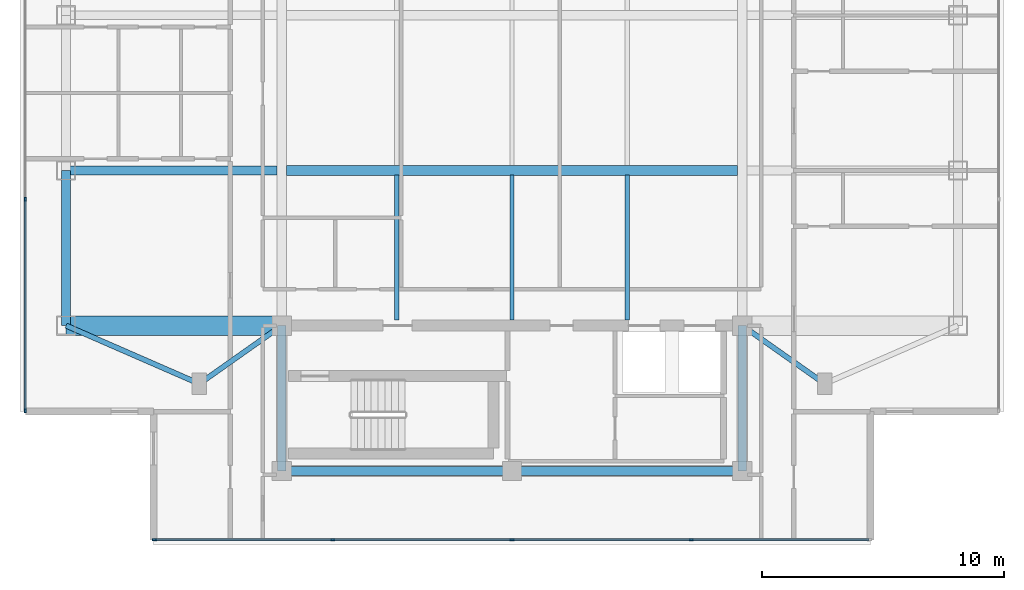
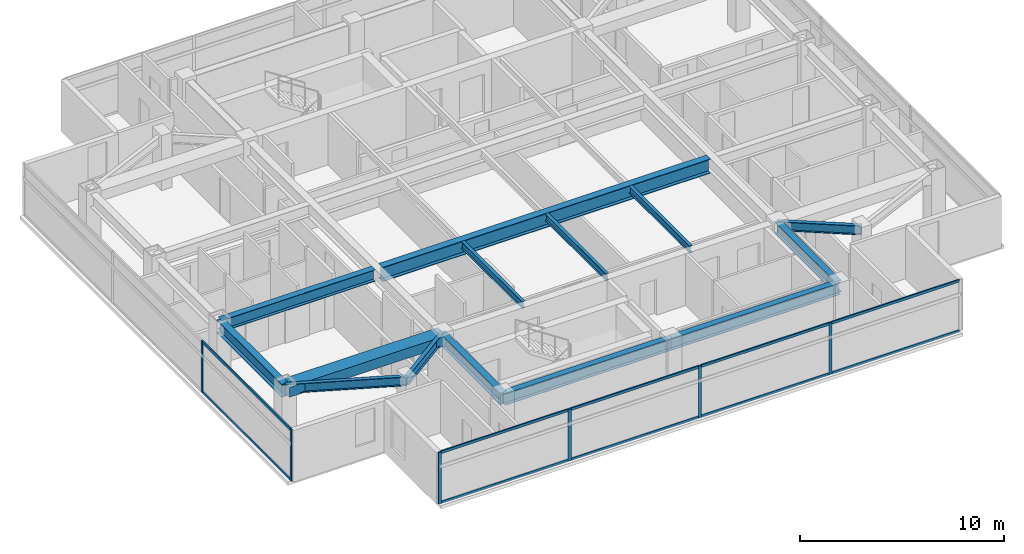
# One storey, part 2 of 12: 16 members, 14 beams, 2 elements without a shape of their own.
"""IFC4 building model written with IfcOpenShell, lengths in metres."""

from ifc_helpers import new_model, si_unit, direction, frame, origin, origin_2d, place, context, subcontext, project, spatial, rectangle, i_section, extrude, material, material_profile, profile_set, type_object, element, aggregate, save


model = new_model("IFC4")

# Units and contexts
model_context = context("Model", 3, precision=1e-05, world=origin(), true_north=direction((0.0, 1.0)))
body_context = subcontext(model_context, "Body", "Model", "MODEL_VIEW")
ifc_project = project(units=[si_unit("LENGTHUNIT", "METRE"), si_unit("AREAUNIT", "SQUARE_METRE"), si_unit("VOLUMEUNIT", "CUBIC_METRE"), si_unit("PLANEANGLEUNIT", "RADIAN"), si_unit("MASSUNIT", "GRAM", prefix="KILO")], contexts=[model_context])

# Site, building, storey
site_placement = place(None, origin())
site = spatial("IfcSite", under=ifc_project, at=site_placement, CompositionType="ELEMENT")
building_placement = place(site_placement, origin())
building = spatial("IfcBuilding", under=site, at=building_placement, Name="Mirazonda Arch Towers", CompositionType="ELEMENT")
storey_placement = place(building_placement, frame((0.0, 0.0, 219.39990234375)))
storey = spatial("IfcBuildingStorey", under=building, at=storey_placement, Name="L62", CompositionType="ELEMENT", Elevation=219.39990234375)

# Beams
ifc_material_1 = material(Name="Steel ASTM A992 Grade 50", Category="steel")
ifc_material_profile_1 = material_profile(ifc_material_1, i_section(OverallWidth=0.381103515625, OverallDepth=0.77294921875, WebThickness=0.0166015625, FlangeThickness=0.027099609375, at=origin_2d()), Name="W30X173")
ifc_profile_set_1 = profile_set([ifc_material_profile_1], Name="Steel ASTM A992 Grade 50")
beam_type_1 = type_object("IfcBeamType", Name="BM-EXT-W30X173", PredefinedType="USERDEFINED", material=ifc_profile_set_1)
beam_1_placement = place(storey_placement, frame((2.10009765625, 18.39990234375, 2.713623046875), z_axis=(0.0, 1.0, 0.0), x_axis=(-1.0, 0.0, 0.0)))
element("IfcBeam", 1, at=beam_1_placement, inside=storey, type_object=beam_type_1, Name="L62 Floor Beam BM-T1-L62-NS-W-18", ObjectType="GIRDER", PredefinedType="USERDEFINED", context=body_context, shape_type="SweptSolid", body=[
    extrude(i_section(OverallWidth=0.381103515625, OverallDepth=0.77294921875, WebThickness=0.0166015625, FlangeThickness=0.027099609375, at=origin_2d()), origin(), (0.0, 0.0, 1.0), 6.400146484375),
])
ifc_material_profile_2 = material_profile(ifc_material_1, i_section(OverallWidth=0.180908203125, OverallDepth=0.4169921875, WebThickness=0.010986328125, FlangeThickness=0.018310546875, at=origin_2d()), Name="W16X57")
ifc_profile_set_2 = profile_set([ifc_material_profile_2], Name="Steel ASTM A992 Grade 50")
beam_type_2 = type_object("IfcBeamType", Name="BM-INT-W16X57", PredefinedType="JOIST", material=ifc_profile_set_2)
for number, where, z_axis, x_axis, name in (
    (2, (15.75, 18.639892578125, 2.8916015625), (0.0, 1.0, 0.0), (-1.0, 0.0, 0.0), "L62 Floor Beam BM-T1-L62-J-157-18"),
    (3, (20.5, 18.639892578125, 2.8916015625), (0.0, 1.0, 0.0), (-1.0, 0.0, 0.0), "L62 Floor Beam BM-T1-L62-J-205-18"),
    (4, (25.25, 18.639892578125, 2.8916015625), (0.0, 1.0, 0.0), (-1.0, 0.0, 0.0), "L62 Floor Beam BM-T1-L62-J-252-18"),
):
    element("IfcBeam", number, at=place(storey_placement, frame(where, z_axis=z_axis, x_axis=x_axis)), inside=storey, type_object=beam_type_2, Name=name, PredefinedType="JOIST", context=body_context, shape_type="SweptSolid", body=[
        extrude(i_section(OverallWidth=0.180908203125, OverallDepth=0.4169921875, WebThickness=0.010986328125, FlangeThickness=0.018310546875, at=origin_2d()), origin(), (0.0, 0.0, 1.0), 5.964111328125),
    ])
ifc_material_profile_3 = material_profile(ifc_material_1, i_section(OverallWidth=0.214111328125, OverallDepth=0.549072265625, WebThickness=0.0146484375, FlangeThickness=0.023681640625, at=origin_2d()), Name="W21X93")
ifc_profile_set_3 = profile_set([ifc_material_profile_3], Name="Steel ASTM A992 Grade 50")
beam_type_3 = type_object("IfcBeamType", Name="BM-INT-W21X93", PredefinedType="BEAM", material=ifc_profile_set_3)
beam_2_placement = place(storey_placement, frame((7.60009765625, 16.0, 2.82568359375), z_axis=(0.816971114901, 0.576678591087, 0.0), x_axis=(-0.576678591087, 0.816971114901, 0.0)))
element("IfcBeam", 5, at=beam_2_placement, inside=storey, type_object=beam_type_3, Name="L62 Floor Beam BM-T1-L62-PL-SW1", PredefinedType="BEAM", context=body_context, shape_type="SweptSolid", body=[
    extrude(i_section(OverallWidth=0.214111328125, OverallDepth=0.549072265625, WebThickness=0.0146484375, FlangeThickness=0.023681640625, at=origin_2d()), origin(), (0.0, 0.0, 1.0), 4.16162109375),
])
beam_3_placement = place(storey_placement, frame((7.60009765625, 16.0, 2.82568359375), z_axis=(-0.916545343703, 0.399930785183, 0.0), x_axis=(-0.399930785183, -0.916545343703, 0.0)))
element("IfcBeam", 6, at=beam_3_placement, inside=storey, type_object=beam_type_3, Name="L62 Floor Beam BM-T1-L62-PL-SW2", PredefinedType="BEAM", context=body_context, shape_type="SweptSolid", body=[
    extrude(i_section(OverallWidth=0.214111328125, OverallDepth=0.549072265625, WebThickness=0.0146484375, FlangeThickness=0.023681640625, at=origin_2d()), origin(), (0.0, 0.0, 1.0), 6.000732421875),
])
beam_4_placement = place(storey_placement, frame((33.39990234375, 16.0, 2.82568359375), z_axis=(-0.816971114901, 0.576678591087, 0.0), x_axis=(-0.576678591087, -0.816971114901, 0.0)))
element("IfcBeam", 7, at=beam_4_placement, inside=storey, type_object=beam_type_3, Name="L62 Floor Beam BM-T1-L62-PL-SE1", PredefinedType="BEAM", context=body_context, shape_type="SweptSolid", body=[
    extrude(i_section(OverallWidth=0.214111328125, OverallDepth=0.549072265625, WebThickness=0.0146484375, FlangeThickness=0.023681640625, at=origin_2d()), origin(), (0.0, 0.0, 1.0), 4.16162109375),
])
ifc_material_profile_4 = material_profile(ifc_material_1, i_section(OverallWidth=0.35498046875, OverallDepth=0.696044921875, WebThickness=0.015380859375, FlangeThickness=0.02490234375, at=origin_2d()), Name="W27X146")
ifc_profile_set_4 = profile_set([ifc_material_profile_4], Name="Steel ASTM A992 Grade 50")
beam_type_4 = type_object("IfcBeamType", Name="BM-INT-W27X146", PredefinedType="BEAM", material=ifc_profile_set_4)
beam_5_placement = place(storey_placement, frame((2.10009765625, 24.800048828125, 2.752197265625), z_axis=(1.0, 0.0, 0.0), x_axis=(0.0, 1.0, 0.0)))
element("IfcBeam", 8, at=beam_5_placement, inside=storey, type_object=beam_type_4, Name="L62 Floor Beam BM-T1-L62-GW2", PredefinedType="BEAM", context=body_context, shape_type="SweptSolid", body=[
    extrude(i_section(OverallWidth=0.35498046875, OverallDepth=0.696044921875, WebThickness=0.015380859375, FlangeThickness=0.02490234375, at=origin_2d()), origin(), (0.0, 0.0, 1.0), 8.699951171875),
])
for number, where, z_axis, x_axis, name in (
    (9, (11.0, 12.39990234375, 2.752197265625), (1.0, 0.0, 0.0), (0.0, 1.0, 0.0), "L62 Floor Beam BM-T1-L62-CS1"),
    (10, (20.5, 12.39990234375, 2.752197265625), (1.0, 0.0, 0.0), (0.0, 1.0, 0.0), "L62 Floor Beam BM-T1-L62-CS2"),
):
    element("IfcBeam", number, at=place(storey_placement, frame(where, z_axis=z_axis, x_axis=x_axis)), inside=storey, type_object=beam_type_4, Name=name, PredefinedType="BEAM", context=body_context, shape_type="SweptSolid", body=[
        extrude(i_section(OverallWidth=0.35498046875, OverallDepth=0.696044921875, WebThickness=0.015380859375, FlangeThickness=0.02490234375, at=origin_2d()), origin(), (0.0, 0.0, 1.0), 9.5),
    ])
for number, where, z_axis, x_axis, name in (
    (11, (11.0, 12.39990234375, 2.752197265625), (0.0, 1.0, 0.0), (-1.0, 0.0, 0.0), "L62 Floor Beam BM-T1-L62-CSW"),
    (12, (30.0, 12.39990234375, 2.752197265625), (0.0, 1.0, 0.0), (-1.0, 0.0, 0.0), "L62 Floor Beam BM-T1-L62-CSE"),
):
    element("IfcBeam", number, at=place(storey_placement, frame(where, z_axis=z_axis, x_axis=x_axis)), inside=storey, type_object=beam_type_4, Name=name, PredefinedType="BEAM", context=body_context, shape_type="SweptSolid", body=[
        extrude(i_section(OverallWidth=0.35498046875, OverallDepth=0.696044921875, WebThickness=0.015380859375, FlangeThickness=0.02490234375, at=origin_2d()), origin(), (0.0, 0.0, 1.0), 6.0),
    ])
ifc_material_profile_5 = material_profile(ifc_material_1, i_section(OverallWidth=0.39990234375, OverallDepth=0.85595703125, WebThickness=0.018310546875, FlangeThickness=0.029296875, at=origin_2d()), Name="W33X201")
ifc_profile_set_5 = profile_set([ifc_material_profile_5], Name="Steel ASTM A992 Grade 50")
beam_type_5 = type_object("IfcBeamType", Name="BM-INT-W33X201", PredefinedType="USERDEFINED", material=ifc_profile_set_5)
beam_6_placement = place(storey_placement, frame((11.199951171875, 24.800048828125, 2.672119140625), z_axis=(1.0, 0.0, 0.0), x_axis=(0.0, 1.0, 0.0)))
element("IfcBeam", 13, at=beam_6_placement, inside=storey, type_object=beam_type_5, Name="L62 Floor Beam BM-T1-L62-GC2", ObjectType="GIRDER", PredefinedType="USERDEFINED", context=body_context, shape_type="SweptSolid", body=[
    extrude(i_section(OverallWidth=0.39990234375, OverallDepth=0.85595703125, WebThickness=0.018310546875, FlangeThickness=0.029296875, at=origin_2d()), origin(), (0.0, 0.0, 1.0), 18.60009765625),
])
ifc_material_2 = material(Name="Concrete C60/75", Category="concrete")
ifc_material_profile_6 = material_profile(ifc_material_2, rectangle(XDim=0.800048828125, YDim=0.60009765625, at=origin_2d()), Name="RCCB800x600")
ifc_profile_set_6 = profile_set([ifc_material_profile_6], Name="Concrete C60/75")
beam_type_6 = type_object("IfcBeamType", Name="CB-INT-RCCB800x600", PredefinedType="SPANDREL", material=ifc_profile_set_6)
beam_7_placement = place(storey_placement, frame((2.10009765625, 18.39990234375, 2.800048828125), z_axis=(1.0, 0.0, 0.0), x_axis=(0.0, 1.0, 0.0)))
element("IfcBeam", 14, at=beam_7_placement, inside=storey, type_object=beam_type_6, Name="L62 Floor Beam CBC-T1-L62-SW", PredefinedType="SPANDREL", context=body_context, shape_type="SweptSolid", body=[
    extrude(rectangle(XDim=0.800048828125, YDim=0.60009765625, at=origin_2d()), origin(), (0.0, 0.0, 1.0), 8.89990234375),
])

# Curtain wall, members
ifc_material_3 = material(Name="Anodised Aluminium and Low-E Glass", Category="aluminium")
curtain_wall_type = type_object("IfcCurtainWallType", Name="CW-RES-UNIT", PredefinedType="NOTDEFINED", material=ifc_material_3)
curtain_wall_1_placement = place(storey_placement, origin())
curtain_wall_1 = element("IfcCurtainWall", 15, at=curtain_wall_1_placement, inside=storey, type_object=curtain_wall_type, Name="L62 T1 S Facade CW-L62-T1-S", PredefinedType="NOTDEFINED")
ifc_material_4 = material(Name="Anodised Aluminium Alloy", Category="aluminium")
ifc_material_profile_7 = material_profile(ifc_material_4, rectangle(XDim=0.074951171875, YDim=0.175048828125, at=origin_2d()), Name="ALU-MULL-75x175")
ifc_profile_set_7 = profile_set([ifc_material_profile_7], Name="Anodised Aluminium Alloy")
member_type_1 = type_object("IfcMemberType", Name="MULL-CW-RES-UNIT", PredefinedType="MULLION", material=ifc_profile_set_7)
member_1_placement = place(storey_placement, frame((27.89501953125, 9.56005859375, 0.0), z_axis=(0.0, 0.0, 1.0), x_axis=(0.0, -1.0, 0.0)))
member_1 = element("IfcMember", 16, at=member_1_placement, type_object=member_type_1, Name="CW-104 mullion 2", PredefinedType="MULLION", context=body_context, shape_type="SweptSolid", body=[
    extrude(rectangle(XDim=0.074951171875, YDim=0.175048828125, at=origin_2d()), origin(), (0.0, 0.0, 1.0), 3.080078125),
])
member_2_placement = place(storey_placement, frame((20.5, 9.56005859375, 0.0), z_axis=(0.0, 0.0, 1.0), x_axis=(0.0, -1.0, 0.0)))
member_2 = element("IfcMember", 17, at=member_2_placement, type_object=member_type_1, Name="CW-104 mullion 3", PredefinedType="MULLION", context=body_context, shape_type="SweptSolid", body=[
    extrude(rectangle(XDim=0.074951171875, YDim=0.175048828125, at=origin_2d()), origin(), (0.0, 0.0, 1.0), 3.080078125),
])
member_3_placement = place(storey_placement, frame((13.10498046875, 9.56005859375, 0.0), z_axis=(0.0, 0.0, 1.0), x_axis=(0.0, -1.0, 0.0)))
member_3 = element("IfcMember", 18, at=member_3_placement, type_object=member_type_1, Name="CW-104 mullion 4", PredefinedType="MULLION", context=body_context, shape_type="SweptSolid", body=[
    extrude(rectangle(XDim=0.074951171875, YDim=0.175048828125, at=origin_2d()), origin(), (0.0, 0.0, 1.0), 3.080078125),
])
member_4_placement = place(storey_placement, frame((5.74755859375, 9.56005859375, 0.0), z_axis=(0.0, 0.0, 1.0), x_axis=(0.0, -1.0, 0.0)))
member_4 = element("IfcMember", 19, at=member_4_placement, type_object=member_type_1, Name="CW-104 mullion 5", PredefinedType="MULLION", context=body_context, shape_type="SweptSolid", body=[
    extrude(rectangle(XDim=0.074951171875, YDim=0.175048828125, at=origin_2d()), origin(), (0.0, 0.0, 1.0), 3.080078125),
])

curtain_wall_2_placement = place(storey_placement, origin())
curtain_wall_2 = element("IfcCurtainWall", 20, at=curtain_wall_2_placement, inside=storey, type_object=curtain_wall_type, Name="L62 T1 W Facade CW-L62-T1-W", PredefinedType="NOTDEFINED")
member_5_placement = place(storey_placement, frame((0.419921875, 23.61669921875, 0.0), z_axis=(0.0, 0.0, 1.0), x_axis=(1.0, 0.0, 0.0)))
member_5 = element("IfcMember", 21, at=member_5_placement, type_object=member_type_1, Name="CW-104 mullion 3", PredefinedType="MULLION", context=body_context, shape_type="SweptSolid", body=[
    extrude(rectangle(XDim=0.074951171875, YDim=0.175048828125, at=origin_2d()), origin(), (0.0, 0.0, 1.0), 3.080078125),
])
member_6_placement = place(storey_placement, frame((0.419921875, 14.887451171875, 0.0), z_axis=(0.0, 0.0, 1.0), x_axis=(1.0, 0.0, 0.0)))
member_6 = element("IfcMember", 22, at=member_6_placement, type_object=member_type_1, Name="CW-104 mullion 4", PredefinedType="MULLION", context=body_context, shape_type="SweptSolid", body=[
    extrude(rectangle(XDim=0.074951171875, YDim=0.175048828125, at=origin_2d()), origin(), (0.0, 0.0, 1.0), 3.080078125),
])

# Member
ifc_material_profile_8 = material_profile(ifc_material_4, rectangle(XDim=0.074951171875, YDim=0.155029296875, at=origin_2d()), Name="ALU-TRAN-75x155")
ifc_profile_set_8 = profile_set([ifc_material_profile_8], Name="Anodised Aluminium Alloy")
member_type_2 = type_object("IfcMemberType", Name="TRAN-CW-RES-UNIT", PredefinedType="USERDEFINED", material=ifc_profile_set_8)
member_7_placement = place(storey_placement, frame((35.215087890625, 9.56005859375, 0.03759765625), z_axis=(-1.0, 0.0, 0.0), x_axis=(0.0, -1.0, 0.0)))
member_7 = element("IfcMember", 23, at=member_7_placement, type_object=member_type_2, Name="CW-104 transom 1.1", ObjectType="TRANSOM", PredefinedType="USERDEFINED", context=body_context, shape_type="SweptSolid", body=[
    extrude(rectangle(XDim=0.074951171875, YDim=0.155029296875, at=origin_2d()), origin(), (0.0, 0.0, 1.0), 7.282470703125),
])

member_8_placement = place(storey_placement, frame((35.215087890625, 9.56005859375, 3.04248046875), z_axis=(-1.0, 0.0, 0.0), x_axis=(0.0, -1.0, 0.0)))
member_8 = element("IfcMember", 24, at=member_8_placement, type_object=member_type_2, Name="CW-104 transom 1.2", ObjectType="TRANSOM", PredefinedType="USERDEFINED", context=body_context, shape_type="SweptSolid", body=[
    extrude(rectangle(XDim=0.074951171875, YDim=0.155029296875, at=origin_2d()), origin(), (0.0, 0.0, 1.0), 7.282470703125),
])

member_9_placement = place(storey_placement, frame((27.857421875, 9.56005859375, 0.03759765625), z_axis=(-1.0, 0.0, 0.0), x_axis=(0.0, -1.0, 0.0)))
member_9 = element("IfcMember", 25, at=member_9_placement, type_object=member_type_2, Name="CW-104 transom 2.1", ObjectType="TRANSOM", PredefinedType="USERDEFINED", context=body_context, shape_type="SweptSolid", body=[
    extrude(rectangle(XDim=0.074951171875, YDim=0.155029296875, at=origin_2d()), origin(), (0.0, 0.0, 1.0), 7.31982421875),
])

member_10_placement = place(storey_placement, frame((27.857421875, 9.56005859375, 3.04248046875), z_axis=(-1.0, 0.0, 0.0), x_axis=(0.0, -1.0, 0.0)))
member_10 = element("IfcMember", 26, at=member_10_placement, type_object=member_type_2, Name="CW-104 transom 2.2", ObjectType="TRANSOM", PredefinedType="USERDEFINED", context=body_context, shape_type="SweptSolid", body=[
    extrude(rectangle(XDim=0.074951171875, YDim=0.155029296875, at=origin_2d()), origin(), (0.0, 0.0, 1.0), 7.31982421875),
])

member_11_placement = place(storey_placement, frame((20.46240234375, 9.56005859375, 0.03759765625), z_axis=(-1.0, 0.0, 0.0), x_axis=(0.0, -1.0, 0.0)))
member_11 = element("IfcMember", 27, at=member_11_placement, type_object=member_type_2, Name="CW-104 transom 3.1", ObjectType="TRANSOM", PredefinedType="USERDEFINED", context=body_context, shape_type="SweptSolid", body=[
    extrude(rectangle(XDim=0.074951171875, YDim=0.155029296875, at=origin_2d()), origin(), (0.0, 0.0, 1.0), 7.31982421875),
])

member_12_placement = place(storey_placement, frame((20.46240234375, 9.56005859375, 3.04248046875), z_axis=(-1.0, 0.0, 0.0), x_axis=(0.0, -1.0, 0.0)))
member_12 = element("IfcMember", 28, at=member_12_placement, type_object=member_type_2, Name="CW-104 transom 3.2", ObjectType="TRANSOM", PredefinedType="USERDEFINED", context=body_context, shape_type="SweptSolid", body=[
    extrude(rectangle(XDim=0.074951171875, YDim=0.155029296875, at=origin_2d()), origin(), (0.0, 0.0, 1.0), 7.31982421875),
])

member_13_placement = place(storey_placement, frame((13.0673828125, 9.56005859375, 0.03759765625), z_axis=(-1.0, 0.0, 0.0), x_axis=(0.0, -1.0, 0.0)))
member_13 = element("IfcMember", 29, at=member_13_placement, type_object=member_type_2, Name="CW-104 transom 4.1", ObjectType="TRANSOM", PredefinedType="USERDEFINED", context=body_context, shape_type="SweptSolid", body=[
    extrude(rectangle(XDim=0.074951171875, YDim=0.155029296875, at=origin_2d()), origin(), (0.0, 0.0, 1.0), 7.282470703125),
])

member_14_placement = place(storey_placement, frame((13.0673828125, 9.56005859375, 3.04248046875), z_axis=(-1.0, 0.0, 0.0), x_axis=(0.0, -1.0, 0.0)))
member_14 = element("IfcMember", 30, at=member_14_placement, type_object=member_type_2, Name="CW-104 transom 4.2", ObjectType="TRANSOM", PredefinedType="USERDEFINED", context=body_context, shape_type="SweptSolid", body=[
    extrude(rectangle(XDim=0.074951171875, YDim=0.155029296875, at=origin_2d()), origin(), (0.0, 0.0, 1.0), 7.282470703125),
])

aggregate(curtain_wall_1, [member_1, member_2, member_3, member_4, member_7, member_8, member_9, member_10, member_11, member_12, member_13, member_14])

member_15_placement = place(storey_placement, frame((0.419921875, 23.5791015625, 0.03759765625), z_axis=(0.0, -1.0, 0.0), x_axis=(1.0, 0.0, 0.0)))
member_15 = element("IfcMember", 31, at=member_15_placement, type_object=member_type_2, Name="CW-104 transom 3.1", ObjectType="TRANSOM", PredefinedType="USERDEFINED", context=body_context, shape_type="SweptSolid", body=[
    extrude(rectangle(XDim=0.074951171875, YDim=0.155029296875, at=origin_2d()), origin(), (0.0, 0.0, 1.0), 8.654052734375),
])

member_16_placement = place(storey_placement, frame((0.419921875, 23.5791015625, 3.04248046875), z_axis=(0.0, -1.0, 0.0), x_axis=(1.0, 0.0, 0.0)))
member_16 = element("IfcMember", 32, at=member_16_placement, type_object=member_type_2, Name="CW-104 transom 3.2", ObjectType="TRANSOM", PredefinedType="USERDEFINED", context=body_context, shape_type="SweptSolid", body=[
    extrude(rectangle(XDim=0.074951171875, YDim=0.155029296875, at=origin_2d()), origin(), (0.0, 0.0, 1.0), 8.654052734375),
])

aggregate(curtain_wall_2, [member_5, member_6, member_15, member_16])

save(model, "model.ifc")
